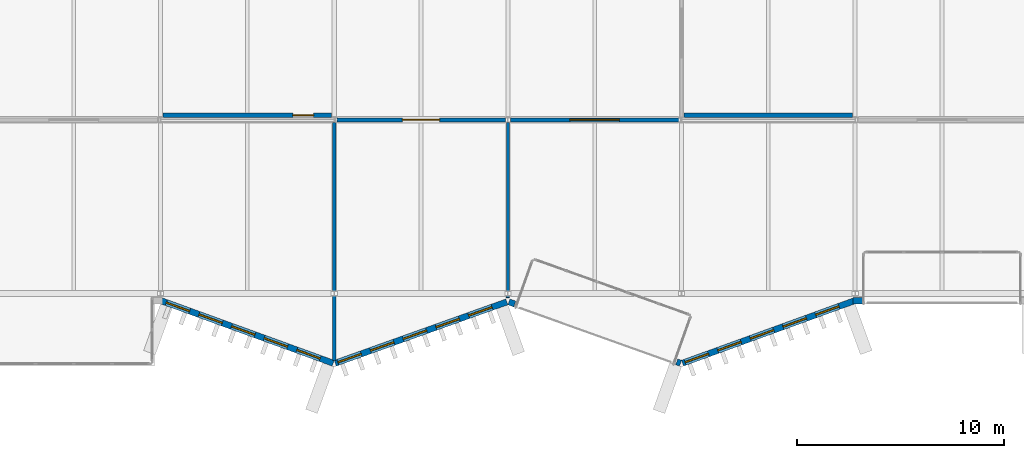
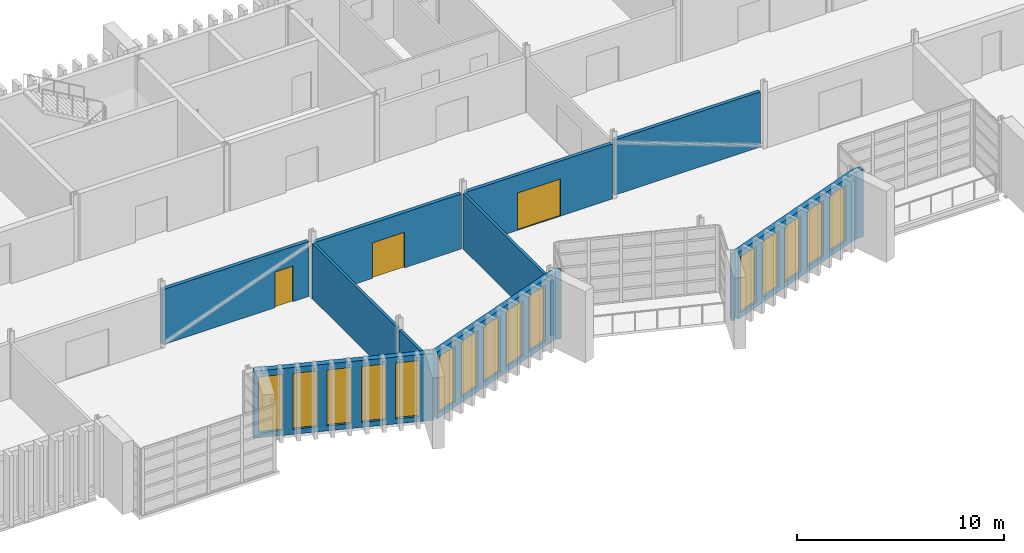
# One storey, part 59 of 88: 15 windows, 14 walls, 3 doors, 18 openings.
"""IFC4 building model written with IfcOpenShell, lengths in metres."""

from ifc_helpers import new_model, si_unit, direction, frame, frame_2d, origin, place, context, subcontext, project, spatial, rectangle, extrude, material, layer, layer_set, type_object, element, fill, save


model = new_model("IFC4")

# Units and contexts
model_context = context("Model", 3, precision=1e-05, world=origin(), true_north=direction((0.0, 1.0)))
body_context = subcontext(model_context, "Body", "Model", "MODEL_VIEW")
ifc_project = project(units=[si_unit("LENGTHUNIT", "METRE"), si_unit("AREAUNIT", "SQUARE_METRE"), si_unit("VOLUMEUNIT", "CUBIC_METRE"), si_unit("PLANEANGLEUNIT", "RADIAN"), si_unit("MASSUNIT", "GRAM", prefix="KILO")], contexts=[model_context])

# Site, building, storey
site_placement = place(None, origin())
site = spatial("IfcSite", under=ifc_project, at=site_placement, CompositionType="ELEMENT")
building_placement = place(site_placement, origin())
building = spatial("IfcBuilding", under=site, at=building_placement, Name="Cresset Court Congress Hotel", CompositionType="ELEMENT")
storey_placement = place(building_placement, frame((0.0, 0.0, 14.39990234375)))
storey = spatial("IfcBuildingStorey", under=building, at=storey_placement, Name="L03", CompositionType="ELEMENT", Elevation=14.39990234375)

# Wall
ifc_material_1 = material(Name="Concrete C40", Category="concrete")
ifc_layer_1 = layer(ifc_material_1, 0.300048828125)
ifc_layer_set_1 = layer_set([ifc_layer_1], Name="External wall 300 Concrete C40")
wall_type_1 = type_object("IfcWallType", Name="External wall 300 Concrete C40", PredefinedType="SOLIDWALL", material=ifc_layer_set_1)
wall_1_placement = place(storey_placement, frame((134.300048828125, -0.35009765625, 0.0), z_axis=(0.0, 0.0, 1.0), x_axis=(1.0, 0.0, 0.0)))
element("IfcWall", 1, at=wall_1_placement, inside=storey, type_object=wall_type_1, Name="External wall", PredefinedType="SOLIDWALL", context=body_context, shape_type="SweptSolid", body=[
    extrude(rectangle(XDim=0.5, YDim=0.300048828125, at=frame_2d((0.25, 0.0))), origin(), (0.0, 0.0, 1.0), 3.9501953125),
])

# Wall, openings, windows
wall_2_placement = place(storey_placement, frame((100.851318359375, -0.35888671875, 0.0), z_axis=(0.0, 0.0, 1.0), x_axis=(0.939953187971, -0.341303390584, 0.0)))
wall_2 = element("IfcWall", 2, at=wall_2_placement, inside=storey, type_object=wall_type_1, Name="External wall", PredefinedType="SOLIDWALL", context=body_context, shape_type="SweptSolid", body=[
    extrude(rectangle(XDim=8.828369140625, YDim=0.300048828125, at=frame_2d((4.4140625, 0.0))), origin(), (0.0, 0.0, 1.0), 3.9501953125),
])
opening_1_placement = place(wall_2_placement, frame((0.239990234375, 0.0, 0.300048828125)))
opening_1 = element("IfcOpeningElement", 3, at=opening_1_placement, cuts=wall_2, Name="Opening NB-03-34", PredefinedType="OPENING", context=body_context, shape_type="SweptSolid", body=[
    extrude(rectangle(XDim=1.199951171875, YDim=3.300048828125, at=frame_2d((0.60009765625, 1.64990234375))), frame((0.0, 0.159912109375, 0.0), z_axis=(0.0, -1.0, 0.0), x_axis=(1.0, 0.0, 0.0)), (0.0, 0.0, 1.0), 0.320068359375),
])
opening_2_placement = place(wall_2_placement, frame((1.919921875, 0.0, 0.300048828125)))
opening_2 = element("IfcOpeningElement", 4, at=opening_2_placement, cuts=wall_2, Name="Opening NB-03-35", PredefinedType="OPENING", context=body_context, shape_type="SweptSolid", body=[
    extrude(rectangle(XDim=1.199951171875, YDim=3.300048828125, at=frame_2d((0.60009765625, 1.64990234375))), frame((0.0, 0.159912109375, 0.0), z_axis=(0.0, -1.0, 0.0), x_axis=(1.0, 0.0, 0.0)), (0.0, 0.0, 1.0), 0.320068359375),
])
opening_3_placement = place(wall_2_placement, frame((3.60009765625, 0.0, 0.300048828125)))
opening_3 = element("IfcOpeningElement", 5, at=opening_3_placement, cuts=wall_2, Name="Opening NB-03-36", PredefinedType="OPENING", context=body_context, shape_type="SweptSolid", body=[
    extrude(rectangle(XDim=1.199951171875, YDim=3.300048828125, at=frame_2d((0.60009765625, 1.64990234375))), frame((0.0, 0.159912109375, 0.0), z_axis=(0.0, -1.0, 0.0), x_axis=(1.0, 0.0, 0.0)), (0.0, 0.0, 1.0), 0.320068359375),
])
opening_4_placement = place(wall_2_placement, frame((5.280029296875, 0.0, 0.300048828125)))
opening_4 = element("IfcOpeningElement", 6, at=opening_4_placement, cuts=wall_2, Name="Opening NB-03-37", PredefinedType="OPENING", context=body_context, shape_type="SweptSolid", body=[
    extrude(rectangle(XDim=1.199951171875, YDim=3.300048828125, at=frame_2d((0.60009765625, 1.64990234375))), frame((0.0, 0.159912109375, 0.0), z_axis=(0.0, -1.0, 0.0), x_axis=(1.0, 0.0, 0.0)), (0.0, 0.0, 1.0), 0.320068359375),
])
opening_5_placement = place(wall_2_placement, frame((6.9599609375, 0.0, 0.300048828125)))
opening_5 = element("IfcOpeningElement", 7, at=opening_5_placement, cuts=wall_2, Name="Opening NB-03-38", PredefinedType="OPENING", context=body_context, shape_type="SweptSolid", body=[
    extrude(rectangle(XDim=1.199951171875, YDim=3.300048828125, at=frame_2d((0.60009765625, 1.64990234375))), frame((0.0, 0.159912109375, 0.0), z_axis=(0.0, -1.0, 0.0), x_axis=(1.0, 0.0, 0.0)), (0.0, 0.0, 1.0), 0.320068359375),
])
ifc_material_2 = material(Name="Aluminium frame with double glazing", Category="aluminium")
window_type = type_object("IfcWindowType", Name="Window 1200x3300", PartitioningType="TRIPLE_PANEL_VERTICAL", PredefinedType="WINDOW", material=ifc_material_2)
window_1_placement = place(opening_1_placement, origin())
window_1 = element("IfcWindow", 8, at=window_1_placement, inside=storey, type_object=window_type, Name="Window NB-03-34", OverallHeight=3.300048828125, OverallWidth=1.199951171875, PartitioningType="TRIPLE_PANEL_VERTICAL", PredefinedType="WINDOW", context=body_context, shape_type="SweptSolid", body=[
    extrude(rectangle(XDim=1.199951171875, YDim=3.300048828125, at=frame_2d((0.60009765625, 1.64990234375))), frame((0.0, 0.030029296875, 0.0), z_axis=(0.0, -1.0, 0.0), x_axis=(1.0, 0.0, 0.0)), (0.0, 0.0, 1.0), 0.06005859375),
])
fill(opening_1, window_1)
window_2_placement = place(opening_2_placement, origin())
window_2 = element("IfcWindow", 9, at=window_2_placement, inside=storey, type_object=window_type, Name="Window NB-03-35", OverallHeight=3.300048828125, OverallWidth=1.199951171875, PartitioningType="TRIPLE_PANEL_VERTICAL", PredefinedType="WINDOW", context=body_context, shape_type="SweptSolid", body=[
    extrude(rectangle(XDim=1.199951171875, YDim=3.300048828125, at=frame_2d((0.60009765625, 1.64990234375))), frame((0.0, 0.030029296875, 0.0), z_axis=(0.0, -1.0, 0.0), x_axis=(1.0, 0.0, 0.0)), (0.0, 0.0, 1.0), 0.06005859375),
])
fill(opening_2, window_2)
window_3_placement = place(opening_3_placement, origin())
window_3 = element("IfcWindow", 10, at=window_3_placement, inside=storey, type_object=window_type, Name="Window NB-03-36", OverallHeight=3.300048828125, OverallWidth=1.199951171875, PartitioningType="TRIPLE_PANEL_VERTICAL", PredefinedType="WINDOW", context=body_context, shape_type="SweptSolid", body=[
    extrude(rectangle(XDim=1.199951171875, YDim=3.300048828125, at=frame_2d((0.60009765625, 1.64990234375))), frame((0.0, 0.030029296875, 0.0), z_axis=(0.0, -1.0, 0.0), x_axis=(1.0, 0.0, 0.0)), (0.0, 0.0, 1.0), 0.06005859375),
])
fill(opening_3, window_3)
window_4_placement = place(opening_4_placement, origin())
window_4 = element("IfcWindow", 11, at=window_4_placement, inside=storey, type_object=window_type, Name="Window NB-03-37", OverallHeight=3.300048828125, OverallWidth=1.199951171875, PartitioningType="TRIPLE_PANEL_VERTICAL", PredefinedType="WINDOW", context=body_context, shape_type="SweptSolid", body=[
    extrude(rectangle(XDim=1.199951171875, YDim=3.300048828125, at=frame_2d((0.60009765625, 1.64990234375))), frame((0.0, 0.030029296875, 0.0), z_axis=(0.0, -1.0, 0.0), x_axis=(1.0, 0.0, 0.0)), (0.0, 0.0, 1.0), 0.06005859375),
])
fill(opening_4, window_4)
window_5_placement = place(opening_5_placement, origin())
window_5 = element("IfcWindow", 12, at=window_5_placement, inside=storey, type_object=window_type, Name="Window NB-03-38", OverallHeight=3.300048828125, OverallWidth=1.199951171875, PartitioningType="TRIPLE_PANEL_VERTICAL", PredefinedType="WINDOW", context=body_context, shape_type="SweptSolid", body=[
    extrude(rectangle(XDim=1.199951171875, YDim=3.300048828125, at=frame_2d((0.60009765625, 1.64990234375))), frame((0.0, 0.030029296875, 0.0), z_axis=(0.0, -1.0, 0.0), x_axis=(1.0, 0.0, 0.0)), (0.0, 0.0, 1.0), 0.06005859375),
])
fill(opening_5, window_5)

wall_3_placement = place(storey_placement, frame((109.251220703125, -3.372314453125, 0.0), z_axis=(0.0, 0.0, 1.0), x_axis=(0.941744418946, 0.336329376334, 0.0)))
wall_3 = element("IfcWall", 13, at=wall_3_placement, inside=storey, type_object=wall_type_1, Name="External wall", PredefinedType="SOLIDWALL", context=body_context, shape_type="SweptSolid", body=[
    extrude(rectangle(XDim=8.811767578125, YDim=0.300048828125, at=frame_2d((4.40576171875, 0.0))), origin(), (0.0, 0.0, 1.0), 3.9501953125),
])
opening_6_placement = place(wall_3_placement, frame((0.132080078125, 0.0, 0.300048828125)))
opening_6 = element("IfcOpeningElement", 14, at=opening_6_placement, cuts=wall_3, Name="Opening NB-03-39", PredefinedType="OPENING", context=body_context, shape_type="SweptSolid", body=[
    extrude(rectangle(XDim=1.199951171875, YDim=3.300048828125, at=frame_2d((0.60009765625, 1.64990234375))), frame((0.0, 0.159912109375, 0.0), z_axis=(0.0, -1.0, 0.0), x_axis=(1.0, 0.0, 0.0)), (0.0, 0.0, 1.0), 0.320068359375),
])
opening_7_placement = place(wall_3_placement, frame((1.81201171875, 0.0, 0.300048828125)))
opening_7 = element("IfcOpeningElement", 15, at=opening_7_placement, cuts=wall_3, Name="Opening NB-03-40", PredefinedType="OPENING", context=body_context, shape_type="SweptSolid", body=[
    extrude(rectangle(XDim=1.199951171875, YDim=3.300048828125, at=frame_2d((0.60009765625, 1.64990234375))), frame((0.0, 0.159912109375, 0.0), z_axis=(0.0, -1.0, 0.0), x_axis=(1.0, 0.0, 0.0)), (0.0, 0.0, 1.0), 0.320068359375),
])
opening_8_placement = place(wall_3_placement, frame((3.491943359375, 0.0, 0.300048828125)))
opening_8 = element("IfcOpeningElement", 16, at=opening_8_placement, cuts=wall_3, Name="Opening NB-03-41", PredefinedType="OPENING", context=body_context, shape_type="SweptSolid", body=[
    extrude(rectangle(XDim=1.199951171875, YDim=3.300048828125, at=frame_2d((0.60009765625, 1.64990234375))), frame((0.0, 0.159912109375, 0.0), z_axis=(0.0, -1.0, 0.0), x_axis=(1.0, 0.0, 0.0)), (0.0, 0.0, 1.0), 0.320068359375),
])
opening_9_placement = place(wall_3_placement, frame((5.172119140625, 0.0, 0.300048828125)))
opening_9 = element("IfcOpeningElement", 17, at=opening_9_placement, cuts=wall_3, Name="Opening NB-03-42", PredefinedType="OPENING", context=body_context, shape_type="SweptSolid", body=[
    extrude(rectangle(XDim=1.199951171875, YDim=3.300048828125, at=frame_2d((0.60009765625, 1.64990234375))), frame((0.0, 0.159912109375, 0.0), z_axis=(0.0, -1.0, 0.0), x_axis=(1.0, 0.0, 0.0)), (0.0, 0.0, 1.0), 0.320068359375),
])
opening_10_placement = place(wall_3_placement, frame((6.85205078125, 0.0, 0.300048828125)))
opening_10 = element("IfcOpeningElement", 18, at=opening_10_placement, cuts=wall_3, Name="Opening NB-03-43", PredefinedType="OPENING", context=body_context, shape_type="SweptSolid", body=[
    extrude(rectangle(XDim=1.199951171875, YDim=3.300048828125, at=frame_2d((0.60009765625, 1.64990234375))), frame((0.0, 0.159912109375, 0.0), z_axis=(0.0, -1.0, 0.0), x_axis=(1.0, 0.0, 0.0)), (0.0, 0.0, 1.0), 0.320068359375),
])
window_6_placement = place(opening_6_placement, origin())
window_6 = element("IfcWindow", 19, at=window_6_placement, inside=storey, type_object=window_type, Name="Window NB-03-39", OverallHeight=3.300048828125, OverallWidth=1.199951171875, PartitioningType="TRIPLE_PANEL_VERTICAL", PredefinedType="WINDOW", context=body_context, shape_type="SweptSolid", body=[
    extrude(rectangle(XDim=1.199951171875, YDim=3.300048828125, at=frame_2d((0.60009765625, 1.64990234375))), frame((0.0, 0.030029296875, 0.0), z_axis=(0.0, -1.0, 0.0), x_axis=(1.0, 0.0, 0.0)), (0.0, 0.0, 1.0), 0.06005859375),
])
fill(opening_6, window_6)
window_7_placement = place(opening_7_placement, origin())
window_7 = element("IfcWindow", 20, at=window_7_placement, inside=storey, type_object=window_type, Name="Window NB-03-40", OverallHeight=3.300048828125, OverallWidth=1.199951171875, PartitioningType="TRIPLE_PANEL_VERTICAL", PredefinedType="WINDOW", context=body_context, shape_type="SweptSolid", body=[
    extrude(rectangle(XDim=1.199951171875, YDim=3.300048828125, at=frame_2d((0.60009765625, 1.64990234375))), frame((0.0, 0.030029296875, 0.0), z_axis=(0.0, -1.0, 0.0), x_axis=(1.0, 0.0, 0.0)), (0.0, 0.0, 1.0), 0.06005859375),
])
fill(opening_7, window_7)
window_8_placement = place(opening_8_placement, origin())
window_8 = element("IfcWindow", 21, at=window_8_placement, inside=storey, type_object=window_type, Name="Window NB-03-41", OverallHeight=3.300048828125, OverallWidth=1.199951171875, PartitioningType="TRIPLE_PANEL_VERTICAL", PredefinedType="WINDOW", context=body_context, shape_type="SweptSolid", body=[
    extrude(rectangle(XDim=1.199951171875, YDim=3.300048828125, at=frame_2d((0.60009765625, 1.64990234375))), frame((0.0, 0.030029296875, 0.0), z_axis=(0.0, -1.0, 0.0), x_axis=(1.0, 0.0, 0.0)), (0.0, 0.0, 1.0), 0.06005859375),
])
fill(opening_8, window_8)
window_9_placement = place(opening_9_placement, origin())
window_9 = element("IfcWindow", 22, at=window_9_placement, inside=storey, type_object=window_type, Name="Window NB-03-42", OverallHeight=3.300048828125, OverallWidth=1.199951171875, PartitioningType="TRIPLE_PANEL_VERTICAL", PredefinedType="WINDOW", context=body_context, shape_type="SweptSolid", body=[
    extrude(rectangle(XDim=1.199951171875, YDim=3.300048828125, at=frame_2d((0.60009765625, 1.64990234375))), frame((0.0, 0.030029296875, 0.0), z_axis=(0.0, -1.0, 0.0), x_axis=(1.0, 0.0, 0.0)), (0.0, 0.0, 1.0), 0.06005859375),
])
fill(opening_9, window_9)
window_10_placement = place(opening_10_placement, origin())
window_10 = element("IfcWindow", 23, at=window_10_placement, inside=storey, type_object=window_type, Name="Window NB-03-43", OverallHeight=3.300048828125, OverallWidth=1.199951171875, PartitioningType="TRIPLE_PANEL_VERTICAL", PredefinedType="WINDOW", context=body_context, shape_type="SweptSolid", body=[
    extrude(rectangle(XDim=1.199951171875, YDim=3.300048828125, at=frame_2d((0.60009765625, 1.64990234375))), frame((0.0, 0.030029296875, 0.0), z_axis=(0.0, -1.0, 0.0), x_axis=(1.0, 0.0, 0.0)), (0.0, 0.0, 1.0), 0.06005859375),
])
fill(opening_10, window_10)

# Walls
wall_4_placement = place(storey_placement, frame((117.650390625, -0.40869140625, 0.0), z_axis=(0.0, 0.0, 1.0), x_axis=(0.941889038699, -0.335924156289, 0.0)))
element("IfcWall", 24, at=wall_4_placement, inside=storey, type_object=wall_type_1, Name="External wall", PredefinedType="SOLIDWALL", context=body_context, shape_type="SweptSolid", body=[
    extrude(rectangle(XDim=0.300048828125, YDim=0.300048828125, at=frame_2d((0.14990234375, 0.0))), origin(), (0.0, 0.0, 1.0), 3.9501953125),
])
wall_5_placement = place(storey_placement, frame((125.767822265625, -3.307861328125, 0.0), z_axis=(0.0, 0.0, 1.0), x_axis=(0.942000485661, -0.335611509061, 0.0)))
element("IfcWall", 25, at=wall_5_placement, inside=storey, type_object=wall_type_1, Name="External wall", PredefinedType="SOLIDWALL", context=body_context, shape_type="SweptSolid", body=[
    extrude(rectangle(XDim=0.192138671875, YDim=0.300048828125, at=frame_2d((0.09619140625, 0.0))), origin(), (0.0, 0.0, 1.0), 3.9501953125),
])

# Wall, openings, windows
wall_6_placement = place(storey_placement, frame((126.05029296875, -3.3720703125, 0.0), z_axis=(0.0, 0.0, 1.0), x_axis=(0.939956409183, 0.3412945192, 0.0)))
wall_6 = element("IfcWall", 26, at=wall_6_placement, inside=storey, type_object=wall_type_1, Name="External wall", PredefinedType="SOLIDWALL", context=body_context, shape_type="SweptSolid", body=[
    extrude(rectangle(XDim=8.82861328125, YDim=0.300048828125, at=frame_2d((4.414306640625, 0.0))), origin(), (0.0, 0.0, 1.0), 3.9501953125),
])
opening_11_placement = place(wall_6_placement, frame((0.132080078125, 0.0, 0.300048828125)))
opening_11 = element("IfcOpeningElement", 27, at=opening_11_placement, cuts=wall_6, Name="Opening NB-03-44", PredefinedType="OPENING", context=body_context, shape_type="SweptSolid", body=[
    extrude(rectangle(XDim=1.199951171875, YDim=3.300048828125, at=frame_2d((0.60009765625, 1.64990234375))), frame((0.0, 0.159912109375, 0.0), z_axis=(0.0, -1.0, 0.0), x_axis=(1.0, 0.0, 0.0)), (0.0, 0.0, 1.0), 0.320068359375),
])
opening_12_placement = place(wall_6_placement, frame((1.81201171875, 0.0, 0.300048828125)))
opening_12 = element("IfcOpeningElement", 28, at=opening_12_placement, cuts=wall_6, Name="Opening NB-03-45", PredefinedType="OPENING", context=body_context, shape_type="SweptSolid", body=[
    extrude(rectangle(XDim=1.199951171875, YDim=3.300048828125, at=frame_2d((0.60009765625, 1.64990234375))), frame((0.0, 0.159912109375, 0.0), z_axis=(0.0, -1.0, 0.0), x_axis=(1.0, 0.0, 0.0)), (0.0, 0.0, 1.0), 0.320068359375),
])
opening_13_placement = place(wall_6_placement, frame((3.491943359375, 0.0, 0.300048828125)))
opening_13 = element("IfcOpeningElement", 29, at=opening_13_placement, cuts=wall_6, Name="Opening NB-03-46", PredefinedType="OPENING", context=body_context, shape_type="SweptSolid", body=[
    extrude(rectangle(XDim=1.199951171875, YDim=3.300048828125, at=frame_2d((0.60009765625, 1.64990234375))), frame((0.0, 0.159912109375, 0.0), z_axis=(0.0, -1.0, 0.0), x_axis=(1.0, 0.0, 0.0)), (0.0, 0.0, 1.0), 0.320068359375),
])
opening_14_placement = place(wall_6_placement, frame((5.172119140625, 0.0, 0.300048828125)))
opening_14 = element("IfcOpeningElement", 30, at=opening_14_placement, cuts=wall_6, Name="Opening NB-03-47", PredefinedType="OPENING", context=body_context, shape_type="SweptSolid", body=[
    extrude(rectangle(XDim=1.199951171875, YDim=3.300048828125, at=frame_2d((0.60009765625, 1.64990234375))), frame((0.0, 0.159912109375, 0.0), z_axis=(0.0, -1.0, 0.0), x_axis=(1.0, 0.0, 0.0)), (0.0, 0.0, 1.0), 0.320068359375),
])
opening_15_placement = place(wall_6_placement, frame((6.85205078125, 0.0, 0.300048828125)))
opening_15 = element("IfcOpeningElement", 31, at=opening_15_placement, cuts=wall_6, Name="Opening NB-03-48", PredefinedType="OPENING", context=body_context, shape_type="SweptSolid", body=[
    extrude(rectangle(XDim=1.199951171875, YDim=3.300048828125, at=frame_2d((0.60009765625, 1.64990234375))), frame((0.0, 0.159912109375, 0.0), z_axis=(0.0, -1.0, 0.0), x_axis=(1.0, 0.0, 0.0)), (0.0, 0.0, 1.0), 0.320068359375),
])
window_11_placement = place(opening_11_placement, origin())
window_11 = element("IfcWindow", 32, at=window_11_placement, inside=storey, type_object=window_type, Name="Window NB-03-44", OverallHeight=3.300048828125, OverallWidth=1.199951171875, PartitioningType="TRIPLE_PANEL_VERTICAL", PredefinedType="WINDOW", context=body_context, shape_type="SweptSolid", body=[
    extrude(rectangle(XDim=1.199951171875, YDim=3.300048828125, at=frame_2d((0.60009765625, 1.64990234375))), frame((0.0, 0.030029296875, 0.0), z_axis=(0.0, -1.0, 0.0), x_axis=(1.0, 0.0, 0.0)), (0.0, 0.0, 1.0), 0.06005859375),
])
fill(opening_11, window_11)
window_12_placement = place(opening_12_placement, origin())
window_12 = element("IfcWindow", 33, at=window_12_placement, inside=storey, type_object=window_type, Name="Window NB-03-45", OverallHeight=3.300048828125, OverallWidth=1.199951171875, PartitioningType="TRIPLE_PANEL_VERTICAL", PredefinedType="WINDOW", context=body_context, shape_type="SweptSolid", body=[
    extrude(rectangle(XDim=1.199951171875, YDim=3.300048828125, at=frame_2d((0.60009765625, 1.64990234375))), frame((0.0, 0.030029296875, 0.0), z_axis=(0.0, -1.0, 0.0), x_axis=(1.0, 0.0, 0.0)), (0.0, 0.0, 1.0), 0.06005859375),
])
fill(opening_12, window_12)
window_13_placement = place(opening_13_placement, origin())
window_13 = element("IfcWindow", 34, at=window_13_placement, inside=storey, type_object=window_type, Name="Window NB-03-46", OverallHeight=3.300048828125, OverallWidth=1.199951171875, PartitioningType="TRIPLE_PANEL_VERTICAL", PredefinedType="WINDOW", context=body_context, shape_type="SweptSolid", body=[
    extrude(rectangle(XDim=1.199951171875, YDim=3.300048828125, at=frame_2d((0.60009765625, 1.64990234375))), frame((0.0, 0.030029296875, 0.0), z_axis=(0.0, -1.0, 0.0), x_axis=(1.0, 0.0, 0.0)), (0.0, 0.0, 1.0), 0.06005859375),
])
fill(opening_13, window_13)
window_14_placement = place(opening_14_placement, origin())
window_14 = element("IfcWindow", 35, at=window_14_placement, inside=storey, type_object=window_type, Name="Window NB-03-47", OverallHeight=3.300048828125, OverallWidth=1.199951171875, PartitioningType="TRIPLE_PANEL_VERTICAL", PredefinedType="WINDOW", context=body_context, shape_type="SweptSolid", body=[
    extrude(rectangle(XDim=1.199951171875, YDim=3.300048828125, at=frame_2d((0.60009765625, 1.64990234375))), frame((0.0, 0.030029296875, 0.0), z_axis=(0.0, -1.0, 0.0), x_axis=(1.0, 0.0, 0.0)), (0.0, 0.0, 1.0), 0.06005859375),
])
fill(opening_14, window_14)
window_15_placement = place(opening_15_placement, origin())
window_15 = element("IfcWindow", 36, at=window_15_placement, inside=storey, type_object=window_type, Name="Window NB-03-48", OverallHeight=3.300048828125, OverallWidth=1.199951171875, PartitioningType="TRIPLE_PANEL_VERTICAL", PredefinedType="WINDOW", context=body_context, shape_type="SweptSolid", body=[
    extrude(rectangle(XDim=1.199951171875, YDim=3.300048828125, at=frame_2d((0.60009765625, 1.64990234375))), frame((0.0, 0.030029296875, 0.0), z_axis=(0.0, -1.0, 0.0), x_axis=(1.0, 0.0, 0.0)), (0.0, 0.0, 1.0), 0.06005859375),
])
fill(opening_15, window_15)

# Wall, opening, door
ifc_material_3 = material(Name="Gypsum board on steel studs", Category="steel")
ifc_layer_2 = layer(ifc_material_3, 0.199951171875)
ifc_layer_set_2 = layer_set([ifc_layer_2], Name="Foyer wall 200")
wall_type_2 = type_object("IfcWallType", Name="Foyer wall 200", PredefinedType="PARTITIONING", material=ifc_layer_set_2)
wall_7_placement = place(storey_placement, frame((100.925048828125, 8.619384765625, 0.0), z_axis=(0.0, 0.0, 1.0), x_axis=(1.0, 0.0, 0.0)))
wall_7 = element("IfcWall", 37, at=wall_7_placement, inside=storey, type_object=wall_type_2, Name="Foyer wall", PredefinedType="PARTITIONING", context=body_context, shape_type="SweptSolid", body=[
    extrude(rectangle(XDim=8.14990234375, YDim=0.199951171875, at=frame_2d((4.074951171875, 0.0))), origin(), (0.0, 0.0, 1.0), 3.25),
])
opening_16_placement = place(wall_7_placement, frame((6.27490234375, 0.0, 0.0)))
opening_16 = element("IfcOpeningElement", 38, at=opening_16_placement, cuts=wall_7, Name="Opening DB-03-11", PredefinedType="OPENING", context=body_context, shape_type="SweptSolid", body=[
    extrude(rectangle(XDim=1.0, YDim=2.10009765625, at=frame_2d((0.5, 1.050048828125))), frame((0.0, 0.10986328125, 0.0), z_axis=(0.0, -1.0, 0.0), x_axis=(1.0, 0.0, 0.0)), (0.0, 0.0, 1.0), 0.219970703125),
])
ifc_material_4 = material(Name="Timber and steel frame", Category="steel")
door_type_1 = type_object("IfcDoorType", Name="Fire door FD30 single 1000x2100", OperationType="SINGLE_SWING_LEFT", PredefinedType="DOOR", material=ifc_material_4)
door_1_placement = place(opening_16_placement, origin())
door_1 = element("IfcDoor", 39, at=door_1_placement, inside=storey, type_object=door_type_1, Name="Meeting Room door", OperationType="SINGLE_SWING_LEFT", OverallHeight=2.10009765625, OverallWidth=1.0, PredefinedType="DOOR", context=body_context, shape_type="SweptSolid", body=[
    extrude(rectangle(XDim=1.0, YDim=2.10009765625, at=frame_2d((0.5, 1.050048828125))), frame((0.0, 0.02490234375, 0.0), z_axis=(0.0, -1.0, 0.0), x_axis=(1.0, 0.0, 0.0)), (0.0, 0.0, 1.0), 0.050048828125),
])
fill(opening_16, door_1)

wall_8_placement = place(storey_placement, frame((109.324951171875, 8.39990234375, 0.0), z_axis=(0.0, 0.0, 1.0), x_axis=(1.0, 0.0, 0.0)))
wall_8 = element("IfcWall", 40, at=wall_8_placement, inside=storey, type_object=wall_type_2, Name="Foyer wall", PredefinedType="PARTITIONING", context=body_context, shape_type="SweptSolid", body=[
    extrude(rectangle(XDim=8.150146484375, YDim=0.199951171875, at=frame_2d((4.0751953125, 0.0))), origin(), (0.0, 0.0, 1.0), 3.25),
])
opening_17_placement = place(wall_8_placement, frame((3.175048828125, 0.0, 0.0)))
opening_17 = element("IfcOpeningElement", 41, at=opening_17_placement, cuts=wall_8, Name="Opening DB-03-12", PredefinedType="OPENING", context=body_context, shape_type="SweptSolid", body=[
    extrude(rectangle(XDim=1.800048828125, YDim=2.10009765625, at=frame_2d((0.89990234375, 1.050048828125))), frame((0.0, 0.10986328125, 0.0), z_axis=(0.0, -1.0, 0.0), x_axis=(1.0, 0.0, 0.0)), (0.0, 0.0, 1.0), 0.219970703125),
])
ifc_material_5 = material(Name="Timber and steel frame", Category="steel")
door_type_2 = type_object("IfcDoorType", Name="Fire door FD30 double 1800x2100", OperationType="DOUBLE_DOOR_SINGLE_SWING", PredefinedType="DOOR", material=ifc_material_5)
door_2_placement = place(opening_17_placement, origin())
door_2 = element("IfcDoor", 42, at=door_2_placement, inside=storey, type_object=door_type_2, Name="Business Lounge door", OperationType="DOUBLE_DOOR_SINGLE_SWING", OverallHeight=2.10009765625, OverallWidth=1.800048828125, PredefinedType="DOOR", context=body_context, shape_type="SweptSolid", body=[
    extrude(rectangle(XDim=1.800048828125, YDim=2.10009765625, at=frame_2d((0.89990234375, 1.050048828125))), frame((0.0, 0.02490234375, 0.0), z_axis=(0.0, -1.0, 0.0), x_axis=(1.0, 0.0, 0.0)), (0.0, 0.0, 1.0), 0.050048828125),
])
fill(opening_17, door_2)

wall_9_placement = place(storey_placement, frame((117.72509765625, 8.39990234375, 0.0), z_axis=(0.0, 0.0, 1.0), x_axis=(1.0, 0.0, 0.0)))
wall_9 = element("IfcWall", 43, at=wall_9_placement, inside=storey, type_object=wall_type_2, Name="Foyer wall", PredefinedType="PARTITIONING", context=body_context, shape_type="SweptSolid", body=[
    extrude(rectangle(XDim=8.14990234375, YDim=0.199951171875, at=frame_2d((4.074951171875, 0.0))), origin(), (0.0, 0.0, 1.0), 3.25),
])
opening_18_placement = place(wall_9_placement, frame((2.875, 0.0, 0.0)))
opening_18 = element("IfcOpeningElement", 44, at=opening_18_placement, cuts=wall_9, Name="Opening DB-03-13", PredefinedType="OPENING", context=body_context, shape_type="SweptSolid", body=[
    extrude(rectangle(XDim=2.39990234375, YDim=2.199951171875, at=frame_2d((1.199951171875, 1.10009765625))), frame((0.0, 0.10986328125, 0.0), z_axis=(0.0, -1.0, 0.0), x_axis=(1.0, 0.0, 0.0)), (0.0, 0.0, 1.0), 0.219970703125),
])
ifc_material_6 = material(Name="Timber and steel frame", Category="steel")
door_type_3 = type_object("IfcDoorType", Name="Fire door FD30 double 2400x2200", OperationType="DOUBLE_DOOR_SINGLE_SWING", PredefinedType="DOOR", material=ifc_material_6)
door_3_placement = place(opening_18_placement, origin())
door_3 = element("IfcDoor", 45, at=door_3_placement, inside=storey, type_object=door_type_3, Name="Meeting Room door", OperationType="DOUBLE_DOOR_SINGLE_SWING", OverallHeight=2.199951171875, OverallWidth=2.39990234375, PredefinedType="DOOR", context=body_context, shape_type="SweptSolid", body=[
    extrude(rectangle(XDim=2.39990234375, YDim=2.199951171875, at=frame_2d((1.199951171875, 1.10009765625))), frame((0.0, 0.02490234375, 0.0), z_axis=(0.0, -1.0, 0.0), x_axis=(1.0, 0.0, 0.0)), (0.0, 0.0, 1.0), 0.050048828125),
])
fill(opening_18, door_3)

# Walls
wall_10_placement = place(storey_placement, frame((126.125, 8.619384765625, 0.0), z_axis=(0.0, 0.0, 1.0), x_axis=(1.0, 0.0, 0.0)))
element("IfcWall", 46, at=wall_10_placement, inside=storey, type_object=wall_type_2, Name="Foyer wall", PredefinedType="PARTITIONING", context=body_context, shape_type="SweptSolid", body=[
    extrude(rectangle(XDim=8.14990234375, YDim=0.199951171875, at=frame_2d((4.074951171875, 0.0))), origin(), (0.0, 0.0, 1.0), 3.25),
])
ifc_material_7 = material(Name="Gypsum board on steel studs", Category="steel")
ifc_layer_3 = layer(ifc_material_7, 0.14990234375)
ifc_layer_set_3 = layer_set([ifc_layer_3], Name="Partition 150")
wall_type_3 = type_object("IfcWallType", Name="Partition 150", PredefinedType="PARTITIONING", material=ifc_layer_set_3)
wall_11_placement = place(storey_placement, frame((109.199951171875, -3.23095703125, 0.0), z_axis=(0.0, 0.0, 1.0), x_axis=(0.0, 1.0, 0.0)))
element("IfcWall", 47, at=wall_11_placement, inside=storey, type_object=wall_type_3, Name="Partition", PredefinedType="PARTITIONING", context=body_context, shape_type="SweptSolid", body=[
    extrude(rectangle(XDim=3.10595703125, YDim=0.14990234375, at=frame_2d((1.552978515625, 0.0))), origin(), (0.0, 0.0, 1.0), 3.25),
])
wall_12_placement = place(storey_placement, frame((109.199951171875, 0.125, 0.0), z_axis=(0.0, 0.0, 1.0), x_axis=(0.0, 1.0, 0.0)))
element("IfcWall", 48, at=wall_12_placement, inside=storey, type_object=wall_type_3, Name="Partition", PredefinedType="PARTITIONING", context=body_context, shape_type="SweptSolid", body=[
    extrude(rectangle(XDim=8.14990234375, YDim=0.14990234375, at=frame_2d((4.074951171875, 0.0))), origin(), (0.0, 0.0, 1.0), 3.25),
])
wall_13_placement = place(storey_placement, frame((117.60009765625, -0.199951171875, 0.0), z_axis=(0.0, 0.0, 1.0), x_axis=(0.0, 1.0, 0.0)))
element("IfcWall", 49, at=wall_13_placement, inside=storey, type_object=wall_type_3, Name="Partition", PredefinedType="PARTITIONING", context=body_context, shape_type="SweptSolid", body=[
    extrude(rectangle(XDim=0.074951171875, YDim=0.14990234375, at=frame_2d((0.03759765625, 0.0))), origin(), (0.0, 0.0, 1.0), 3.25),
])
wall_14_placement = place(storey_placement, frame((117.60009765625, 0.125, 0.0), z_axis=(0.0, 0.0, 1.0), x_axis=(0.0, 1.0, 0.0)))
element("IfcWall", 50, at=wall_14_placement, inside=storey, type_object=wall_type_3, Name="Partition", PredefinedType="PARTITIONING", context=body_context, shape_type="SweptSolid", body=[
    extrude(rectangle(XDim=8.14990234375, YDim=0.14990234375, at=frame_2d((4.074951171875, 0.0))), origin(), (0.0, 0.0, 1.0), 3.25),
])

save(model, "model.ifc")
